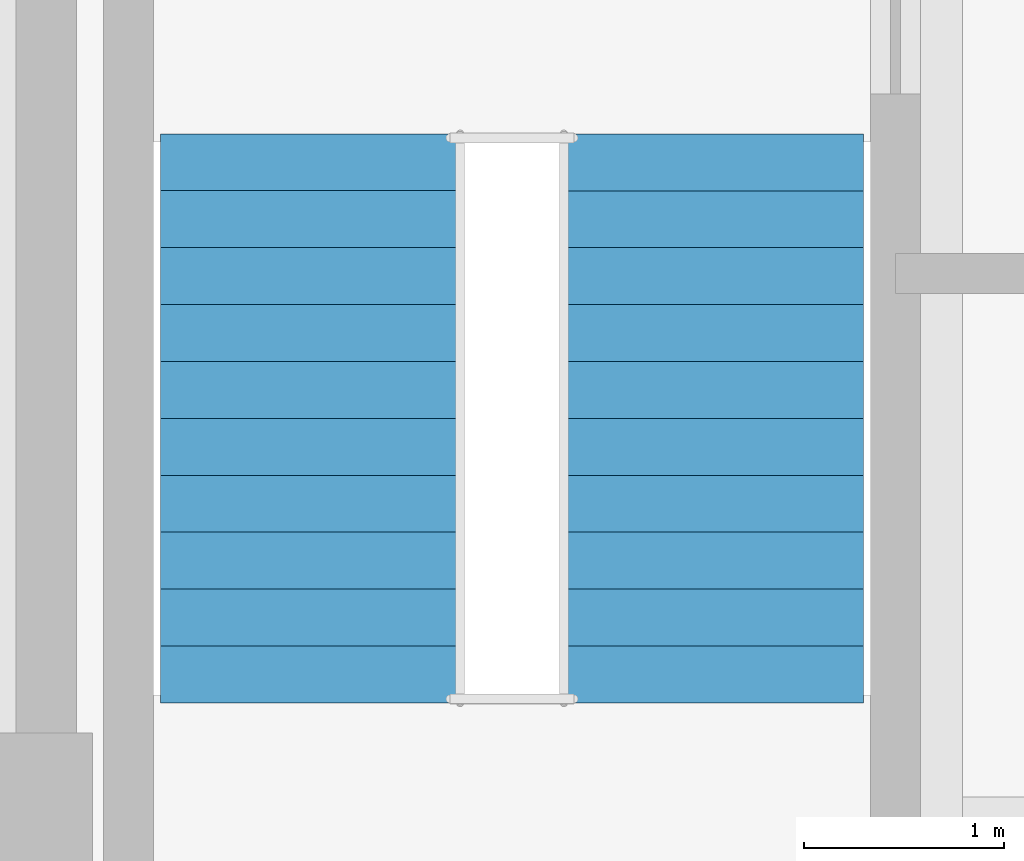
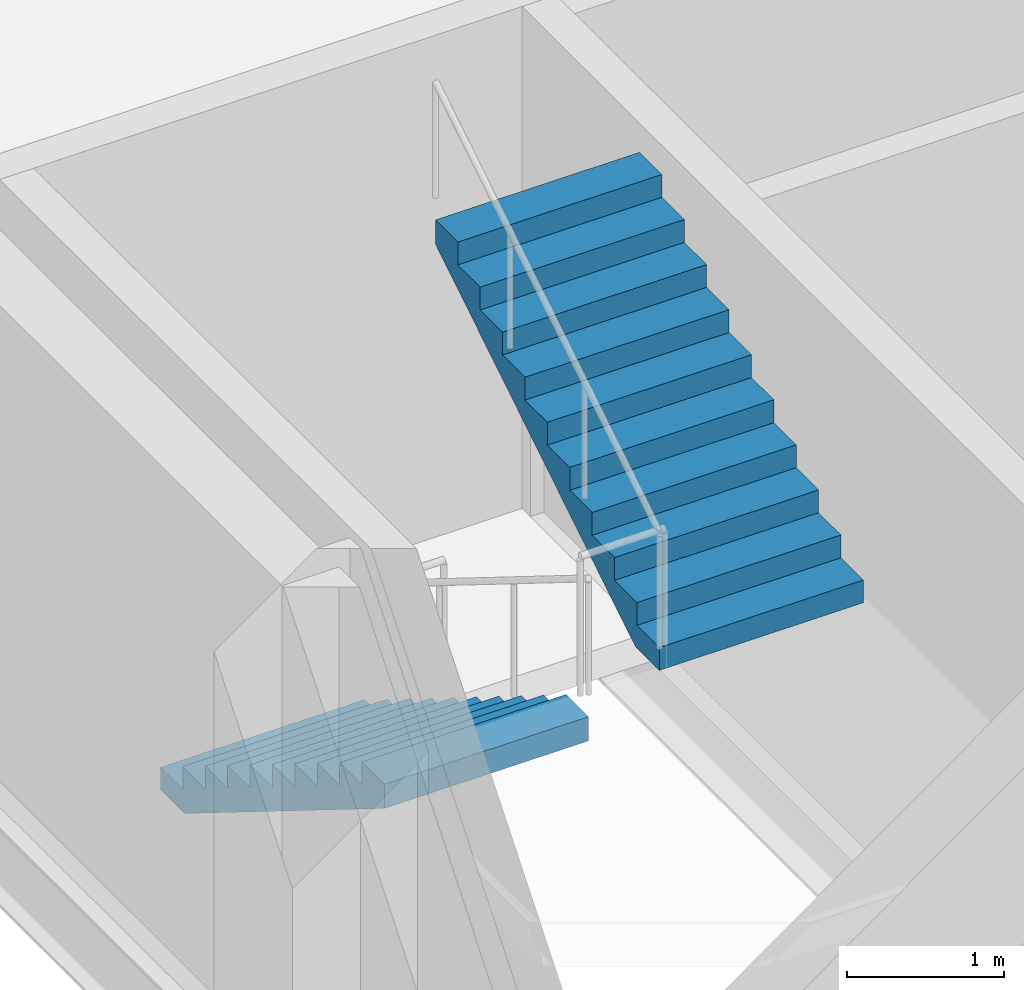
# One storey, part 6 of 7: 2 stair flights, 1 element without a shape of its own.
"""IFC4 building model written with IfcOpenShell, lengths in metres."""

from ifc_helpers import new_model, si_unit, direction, frame, origin, place, context, subcontext, project, spatial, polyline, outline, extrude, material, type_object, element, aggregate, save


model = new_model("IFC4")

# Units and contexts
model_context = context("Model", 3, precision=1e-05, world=origin(), true_north=direction((0.0, 1.0)))
body_context = subcontext(model_context, "Body", "Model", "MODEL_VIEW")
ifc_project = project(units=[si_unit("LENGTHUNIT", "METRE"), si_unit("AREAUNIT", "SQUARE_METRE"), si_unit("VOLUMEUNIT", "CUBIC_METRE"), si_unit("PLANEANGLEUNIT", "RADIAN"), si_unit("MASSUNIT", "GRAM", prefix="KILO")], contexts=[model_context])

# Site, building, storey
site_placement = place(None, origin())
site = spatial("IfcSite", under=ifc_project, at=site_placement, CompositionType="ELEMENT")
building_placement = place(site_placement, origin())
building = spatial("IfcBuilding", under=site, at=building_placement, Name="Mawjdan Bourse Tower", CompositionType="ELEMENT")
storey_placement = place(building_placement, frame((0.0, 0.0, 140.10009765625)))
storey = spatial("IfcBuildingStorey", under=building, at=storey_placement, Name="L33", CompositionType="ELEMENT", Elevation=140.10009765625)

# Stair, stair flights
ifc_material = material(Name="Concrete C50/60", Category="concrete")
stair_type = type_object("IfcStairType", Name="STR-CORE-1500", PredefinedType="HALF_TURN_STAIR", material=ifc_material)
stair_placement = place(storey_placement, origin())
stair = element("IfcStair", 1, at=stair_placement, inside=storey, type_object=stair_type, Name="L33 Exit Stair 3 (North Wing)", PredefinedType="HALF_TURN_STAIR")
stair_flight_type = type_object("IfcStairFlightType", Name="SFL-RC-1500", PredefinedType="STRAIGHT", material=ifc_material)
stair_flight_1_placement = place(storey_placement, frame((7.590087890625, 27.5, 0.0), z_axis=(0.0, 0.0, 1.0), x_axis=(0.0, -1.0, 0.0)))
stair_flight_1 = element("IfcStairFlight", 2, at=stair_flight_1_placement, type_object=stair_flight_type, Name="ST3-L33 flight 1", NumberOfRisers=11, NumberOfTreads=10, PredefinedType="STRAIGHT", RiserHeight=0.177273, TreadLength=0.285, context=body_context, shape_type="SweptSolid", body=[
    extrude(outline(polyline([(0.0, 0.0), (0.0, 0.17724609375), (0.284912109375, 0.17724609375), (0.284912109375, 0.3544921875), (0.570068359375, 0.3544921875), (0.570068359375, 0.53173828125), (0.85498046875, 0.53173828125), (0.85498046875, 0.708984375), (1.139892578125, 0.708984375), (1.139892578125, 0.886474609375), (1.425048828125, 0.886474609375), (1.425048828125, 1.063720703125), (1.7099609375, 1.063720703125), (1.7099609375, 1.240966796875), (1.9951171875, 1.240966796875), (1.9951171875, 1.418212890625), (2.280029296875, 1.418212890625), (2.280029296875, 1.595458984375), (2.56494140625, 1.595458984375), (2.56494140625, 1.772705078125), (2.85009765625, 1.772705078125), (2.85009765625, 1.949951171875), (2.85009765625, 1.58447265625), (0.302734375, 0.0), (0.0, 0.0)])), frame((0.0, 0.75, 0.0), z_axis=(0.0, -1.0, 0.0), x_axis=(1.0, 0.0, 0.0)), (0.0, 0.0, 1.0), 1.5),
])
stair_flight_2_placement = place(storey_placement, frame((9.610107421875, 24.64990234375, 1.949951171875), z_axis=(0.0, 0.0, 1.0), x_axis=(0.0, 1.0, 0.0)))
stair_flight_2 = element("IfcStairFlight", 3, at=stair_flight_2_placement, type_object=stair_flight_type, Name="ST3-L33 flight 2", NumberOfRisers=11, NumberOfTreads=10, PredefinedType="STRAIGHT", RiserHeight=0.177273, TreadLength=0.285, context=body_context, shape_type="SweptSolid", body=[
    extrude(outline(polyline([(0.0, 0.0), (0.0, 0.17724609375), (0.284912109375, 0.17724609375), (0.284912109375, 0.3544921875), (0.570068359375, 0.3544921875), (0.570068359375, 0.53173828125), (0.85498046875, 0.53173828125), (0.85498046875, 0.708984375), (1.139892578125, 0.708984375), (1.139892578125, 0.886474609375), (1.425048828125, 0.886474609375), (1.425048828125, 1.063720703125), (1.7099609375, 1.063720703125), (1.7099609375, 1.240966796875), (1.9951171875, 1.240966796875), (1.9951171875, 1.418212890625), (2.280029296875, 1.418212890625), (2.280029296875, 1.595458984375), (2.56494140625, 1.595458984375), (2.56494140625, 1.772705078125), (2.85009765625, 1.772705078125), (2.85009765625, 1.949951171875), (2.85009765625, 1.58447265625), (0.302734375, 0.0), (0.0, 0.0)])), frame((0.0, 0.75, 0.0), z_axis=(0.0, -1.0, 0.0), x_axis=(1.0, 0.0, 0.0)), (0.0, 0.0, 1.0), 1.5),
])
aggregate(stair, [stair_flight_1, stair_flight_2])

save(model, "model.ifc")
